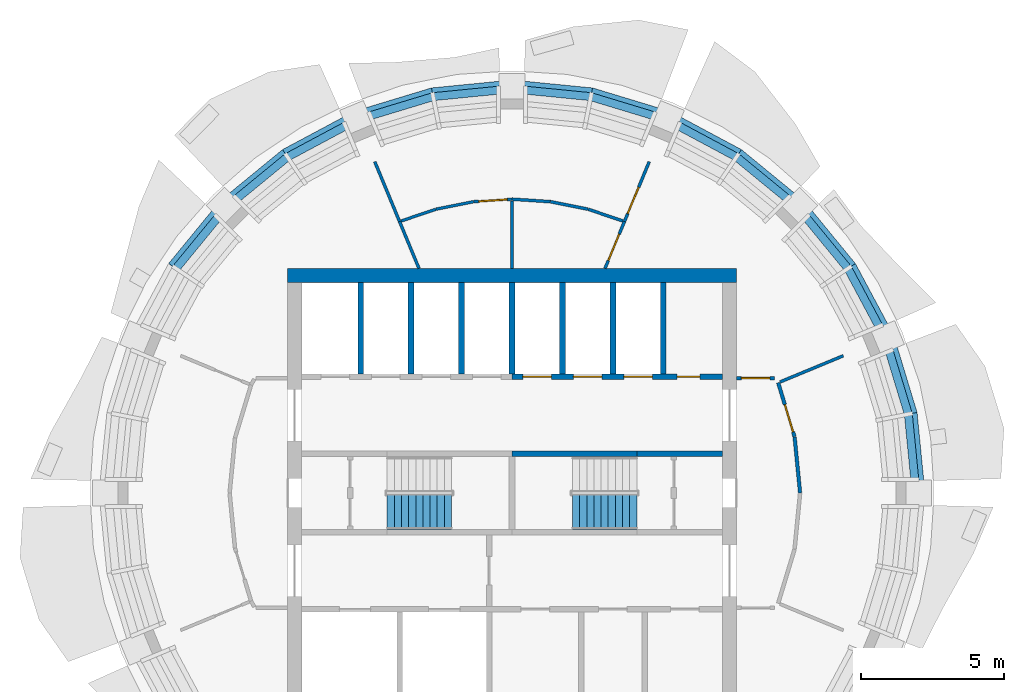
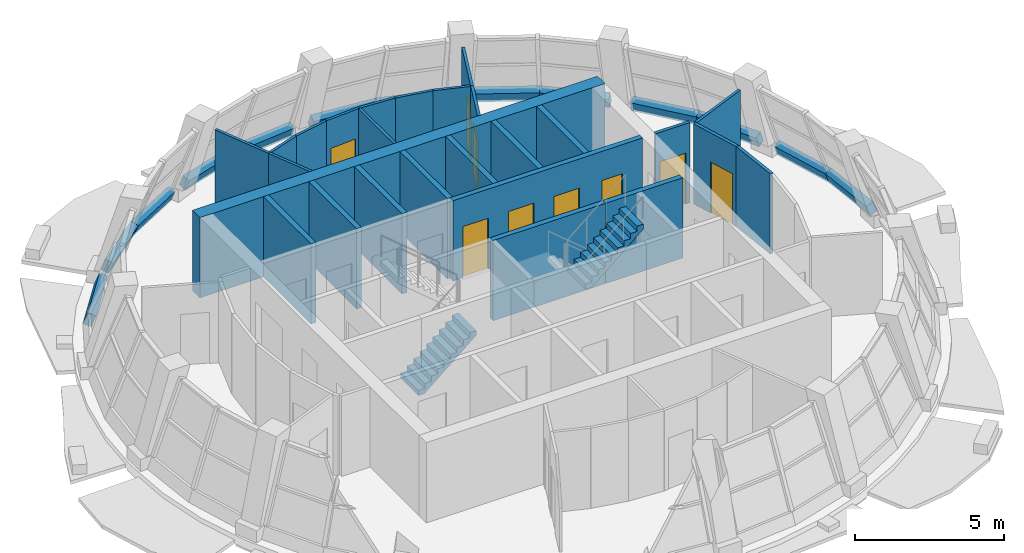
# One storey, part 7 of 12: 39 walls, 9 doors, 2 stair flights, 9 openings, 2 elements without a shape of their own.
"""IFC4 building model written with IfcOpenShell, lengths in metres."""

from ifc_helpers import new_model, si_unit, direction, frame, frame_2d, origin, place, context, subcontext, project, spatial, polyline, rectangle, outline, extrude, material, layer, layer_set, type_object, element, fill, aggregate, save


model = new_model("IFC4")

# Units and contexts
model_context = context("Model", 3, precision=1e-05, world=origin(), true_north=direction((0.0, 1.0)))
body_context = subcontext(model_context, "Body", "Model", "MODEL_VIEW")
ifc_project = project(units=[si_unit("LENGTHUNIT", "METRE"), si_unit("AREAUNIT", "SQUARE_METRE"), si_unit("VOLUMEUNIT", "CUBIC_METRE"), si_unit("PLANEANGLEUNIT", "RADIAN"), si_unit("MASSUNIT", "GRAM", prefix="KILO")], contexts=[model_context])

# Site, building, storey
site_placement = place(None, origin())
site = spatial("IfcSite", under=ifc_project, at=site_placement, CompositionType="ELEMENT")
building_placement = place(site_placement, origin())
building = spatial("IfcBuilding", under=site, at=building_placement, Name="Polderwave Tower", CompositionType="ELEMENT")
storey_placement = place(building_placement, frame((0.0, 0.0, 231.199951171875)))
storey = spatial("IfcBuildingStorey", under=building, at=storey_placement, Name="L63", CompositionType="ELEMENT", Elevation=231.199951171875)

# Walls
ifc_material_1 = material(Name="Concrete C60/75", Category="concrete")
ifc_layer_1 = layer(ifc_material_1, 0.5)
ifc_layer_set_1 = layer_set([ifc_layer_1], Name="CORE WALL 500 C60/75")
wall_type_1 = type_object("IfcWallType", Name="CORE WALL 500 C60/75", PredefinedType="SHEAR", material=ifc_layer_set_1)
wall_1_placement = place(storey_placement, frame((-7.8740234375, 7.6240234375, 0.0), z_axis=(0.0, 0.0, 1.0), x_axis=(1.0, 0.0, 0.0)))
element("IfcWall", 1, at=wall_1_placement, inside=storey, type_object=wall_type_1, Name="ST-CORE-L63-N", PredefinedType="SHEAR", context=body_context, shape_type="SweptSolid", body=[
    extrude(rectangle(XDim=15.748046875, YDim=0.5, at=frame_2d((7.8740234375, 0.0))), origin(), (0.0, 0.0, 1.0), 3.300048828125),
])
ifc_material_2 = material(Name="Concrete C50/60 (board-marked)", Category="concrete")
ifc_layer_2 = layer(ifc_material_2, 0.300048828125)
ifc_layer_set_2 = layer_set([ifc_layer_2], Name="Concrete spandrel upstand C50/60")
wall_type_2 = type_object("IfcWallType", Name="Concrete spandrel upstand C50/60", PredefinedType="SOLIDWALL", material=ifc_layer_set_2)
wall_2_placement = place(storey_placement, frame((14.43896484375, 0.40283203125, 0.0), z_axis=(0.93035064291, 0.091755306795, 0.355005133642), x_axis=(-0.098145054237, 0.995172119915, -8.475565e-06)))
element("IfcWall", 2, at=wall_2_placement, inside=storey, type_object=wall_type_2, Name="Spandrel L63 1a", PredefinedType="SOLIDWALL", context=body_context, shape_type="SweptSolid", body=[
    extrude(outline(polyline([(0.0, 0.0), (2.4333735645715304, -1.3877787807814457e-17), (2.416617189212463, 0.4813229358100159), (0.016840906411805846, 0.4812791180361181), (0.0, 0.0)])), origin(), (0.0, 0.0, -1.0), 0.300048828125),
])
wall_3_placement = place(storey_placement, frame((14.2001953125, 2.824462890625, 0.0), z_axis=(0.894721380135, 0.271074750296, 0.354953703573), x_axis=(-0.289959608839, 0.957038883806, 1.1226683e-05)))
element("IfcWall", 3, at=wall_3_placement, inside=storey, type_object=wall_type_2, Name="Spandrel L63 1b", PredefinedType="SOLIDWALL", context=body_context, shape_type="SweptSolid", body=[
    extrude(outline(polyline([(0.0, 0.0), (2.433930961802469, -5.551115123125783e-17), (2.416793261188387, 0.4812619504503942), (0.01684045258624646, 0.4813199988131944), (0.0, 0.0)])), origin(), (0.0, 0.0, -1.0), 0.300048828125),
])
wall_4_placement = place(storey_placement, frame((13.186279296875, 5.897705078125, 0.0), z_axis=(0.824332600798, 0.441016524886, 0.35493687895), x_axis=(-0.471734377661, 0.881740708382, 1.0715603e-05)))
element("IfcWall", 4, at=wall_4_placement, inside=storey, type_object=wall_type_2, Name="Spandrel L63 2a", PredefinedType="SOLIDWALL", context=body_context, shape_type="SweptSolid", body=[
    extrude(outline(polyline([(0.0, 0.0), (2.433854395707357, 0.0), (2.4169481477664605, 0.4812599815895599), (0.01695772553279257, 0.48131538655599776), (0.0, 0.0)])), origin(), (0.0, 0.0, -1.0), 0.300048828125),
])
wall_5_placement = place(storey_placement, frame((12.0380859375, 8.043701171875, 0.0), z_axis=(0.722862546463, 0.59284076781, 0.354978257002), x_axis=(-0.634136527431, 0.773221096766, -9.701072e-06)))
element("IfcWall", 5, at=wall_5_placement, inside=storey, type_object=wall_type_2, Name="Spandrel L63 2b", PredefinedType="SOLIDWALL", context=body_context, shape_type="SweptSolid", body=[
    extrude(outline(polyline([(0.0, 0.0), (2.434026504244632, 5.551115123125783e-17), (2.4169571362923046, 0.48132085280908643), (0.01659873147160668, 0.4812706870222966), (0.0, 0.0)])), origin(), (0.0, 0.0, -1.0), 0.300048828125),
])
wall_6_placement = place(storey_placement, frame((9.92578125, 10.49462890625, 0.0), z_axis=(0.59284076781, 0.722862546463, 0.354978257002), x_axis=(-0.773221096766, 0.634136527431, 9.701072e-06)))
element("IfcWall", 6, at=wall_6_placement, inside=storey, type_object=wall_type_2, Name="Spandrel L63 3a", PredefinedType="SOLIDWALL", context=body_context, shape_type="SweptSolid", body=[
    extrude(outline(polyline([(0.0, 0.0), (2.434026504244632, -5.551115123125783e-17), (2.417427772773025, 0.48127068702229653), (0.017069367952327243, 0.48132085280908643), (0.0, 0.0)])), origin(), (0.0, 0.0, -1.0), 0.300048828125),
])
wall_7_placement = place(storey_placement, frame((8.043701171875, 12.0380859375, 0.0), z_axis=(0.441126603603, 0.824402860411, 0.354636776631), x_axis=(-0.881712517728, 0.471787066311, 1.195964e-05)))
element("IfcWall", 7, at=wall_7_placement, inside=storey, type_object=wall_type_2, Name="Spandrel L63 3b", PredefinedType="SOLIDWALL", context=body_context, shape_type="SweptSolid", body=[
    extrude(outline(polyline([(0.0, 0.0), (2.433854395432529, 5.551115123125783e-17), (2.4167965805720697, 0.48119815178094155), (0.0169062473931503, 0.4812599802189296), (0.0, 0.0)])), origin(), (0.0, 0.0, -1.0), 0.300048828125),
])
wall_8_placement = place(storey_placement, frame((5.15380859375, 13.494384765625, 0.0), z_axis=(0.271094631402, 0.894631168658, 0.355165838574), x_axis=(-0.957026634075, 0.290000037325, 4.815507e-06)))
element("IfcWall", 8, at=wall_8_placement, inside=storey, type_object=wall_type_2, Name="Spandrel L63 4a", PredefinedType="SOLIDWALL", context=body_context, shape_type="SweptSolid", body=[
    extrude(outline(polyline([(0.0, 0.0), (2.433930962796164, 0.0), (2.417090508229403, 0.4813200037687998), (0.017066904765498103, 0.48134490520427625), (0.0, 0.0)])), origin(), (0.0, 0.0, -1.0), 0.300048828125),
])
wall_9_placement = place(storey_placement, frame((2.824462890625, 14.2001953125, 0.0), z_axis=(0.091755306795, 0.93035064291, 0.355005133642), x_axis=(-0.995172119915, 0.098145054237, 8.475565e-06)))
element("IfcWall", 9, at=wall_9_placement, inside=storey, type_object=wall_type_2, Name="Spandrel L63 4b", PredefinedType="SOLIDWALL", context=body_context, shape_type="SweptSolid", body=[
    extrude(outline(polyline([(0.0, 0.0), (2.4333735645715304, 1.3877787807814457e-17), (2.4165326581597246, 0.4812791180361181), (0.016756375359067092, 0.4813229358100159), (0.0, 0.0)])), origin(), (0.0, 0.0, -1.0), 0.300048828125),
])
wall_10_placement = place(storey_placement, frame((-0.40283203125, 14.43896484375, 0.0), z_axis=(-0.091755306795, 0.93035064291, 0.355005133642), x_axis=(-0.995172119915, -0.098145054237, -8.475565e-06)))
element("IfcWall", 10, at=wall_10_placement, inside=storey, type_object=wall_type_2, Name="Spandrel L63 5a", PredefinedType="SOLIDWALL", context=body_context, shape_type="SweptSolid", body=[
    extrude(outline(polyline([(0.0, 0.0), (2.4333735645715304, -1.3877787807814457e-17), (2.416617189212463, 0.4813229358100159), (0.016840906411805846, 0.4812791180361181), (0.0, 0.0)])), origin(), (0.0, 0.0, -1.0), 0.300048828125),
])
wall_11_placement = place(storey_placement, frame((-2.824462890625, 14.2001953125, 0.0), z_axis=(-0.271074750296, 0.894721380135, 0.354953703573), x_axis=(-0.957038883806, -0.289959608839, 1.1226683e-05)))
element("IfcWall", 11, at=wall_11_placement, inside=storey, type_object=wall_type_2, Name="Spandrel L63 5b", PredefinedType="SOLIDWALL", context=body_context, shape_type="SweptSolid", body=[
    extrude(outline(polyline([(0.0, 0.0), (2.433930961802469, -5.551115123125783e-17), (2.416793261188387, 0.4812619504503942), (0.01684045258624646, 0.4813199988131944), (0.0, 0.0)])), origin(), (0.0, 0.0, -1.0), 0.300048828125),
])
wall_12_placement = place(storey_placement, frame((-5.897705078125, 13.186279296875, 0.0), z_axis=(-0.441016524886, 0.824332600798, 0.35493687895), x_axis=(-0.881740708382, -0.471734377661, 1.0715603e-05)))
element("IfcWall", 12, at=wall_12_placement, inside=storey, type_object=wall_type_2, Name="Spandrel L63 6a", PredefinedType="SOLIDWALL", context=body_context, shape_type="SweptSolid", body=[
    extrude(outline(polyline([(0.0, 0.0), (2.433854395707357, 0.0), (2.4169481477664605, 0.4812599815895599), (0.01695772553279257, 0.48131538655599776), (0.0, 0.0)])), origin(), (0.0, 0.0, -1.0), 0.300048828125),
])
wall_13_placement = place(storey_placement, frame((-8.043701171875, 12.0380859375, 0.0), z_axis=(-0.59284076781, 0.722862546463, 0.354978257002), x_axis=(-0.773221096766, -0.634136527431, -9.701072e-06)))
element("IfcWall", 13, at=wall_13_placement, inside=storey, type_object=wall_type_2, Name="Spandrel L63 6b", PredefinedType="SOLIDWALL", context=body_context, shape_type="SweptSolid", body=[
    extrude(outline(polyline([(0.0, 0.0), (2.434026504244632, 5.551115123125783e-17), (2.4169571362923046, 0.48132085280908643), (0.01659873147160668, 0.4812706870222966), (0.0, 0.0)])), origin(), (0.0, 0.0, -1.0), 0.300048828125),
])
wall_14_placement = place(storey_placement, frame((-10.49462890625, 9.92578125, 0.0), z_axis=(-0.722862546463, 0.59284076781, 0.354978257002), x_axis=(-0.634136527431, -0.773221096766, 9.701072e-06)))
element("IfcWall", 14, at=wall_14_placement, inside=storey, type_object=wall_type_2, Name="Spandrel L63 7a", PredefinedType="SOLIDWALL", context=body_context, shape_type="SweptSolid", body=[
    extrude(outline(polyline([(0.0, 0.0), (2.434026504244632, -5.551115123125783e-17), (2.417427772773025, 0.48127068702229653), (0.017069367952327243, 0.48132085280908643), (0.0, 0.0)])), origin(), (0.0, 0.0, -1.0), 0.300048828125),
])

# Wall, openings, doors
ifc_material_3 = material(Name="Concrete C50/60", Category="concrete")
ifc_layer_3 = layer(ifc_material_3, 0.199951171875)
ifc_layer_set_3 = layer_set([ifc_layer_3], Name="Core web wall 200")
wall_type_3 = type_object("IfcWallType", Name="Core web wall 200", PredefinedType="SHEAR", material=ifc_layer_set_3)
wall_15_placement = place(storey_placement, frame((0.0, 4.073974609375, 0.0), z_axis=(0.0, 0.0, 1.0), x_axis=(1.0, 0.0, 0.0)))
wall_15 = element("IfcWall", 15, at=wall_15_placement, inside=storey, type_object=wall_type_3, Name="L63 north front wall 2", PredefinedType="SHEAR", context=body_context, shape_type="SweptSolid", body=[
    extrude(rectangle(XDim=7.3740234375, YDim=0.199951171875, at=frame_2d((3.68701171875, 0.0))), origin(), (0.0, 0.0, 1.0), 3.300048828125),
])
opening_1_placement = place(wall_15_placement, frame((0.38427734375, 0.0, 0.0)))
opening_1 = element("IfcOpeningElement", 16, at=opening_1_placement, cuts=wall_15, Name="Opening L63-D07", PredefinedType="OPENING", context=body_context, shape_type="SweptSolid", body=[
    extrude(rectangle(XDim=1.0, YDim=2.10009765625, at=frame_2d((0.5, 1.050048828125))), frame((0.0, 0.10986328125, 0.0), z_axis=(0.0, -1.0, 0.0), x_axis=(1.0, 0.0, 0.0)), (0.0, 0.0, 1.0), 0.219970703125),
])
opening_2_placement = place(wall_15_placement, frame((2.15283203125, 0.0, 0.0)))
opening_2 = element("IfcOpeningElement", 17, at=opening_2_placement, cuts=wall_15, Name="Opening L63-D08", PredefinedType="OPENING", context=body_context, shape_type="SweptSolid", body=[
    extrude(rectangle(XDim=1.0, YDim=2.10009765625, at=frame_2d((0.5, 1.050048828125))), frame((0.0, 0.10986328125, 0.0), z_axis=(0.0, -1.0, 0.0), x_axis=(1.0, 0.0, 0.0)), (0.0, 0.0, 1.0), 0.219970703125),
])
opening_3_placement = place(wall_15_placement, frame((3.921142578125, 0.0, 0.0)))
opening_3 = element("IfcOpeningElement", 18, at=opening_3_placement, cuts=wall_15, Name="Opening L63-D09", PredefinedType="OPENING", context=body_context, shape_type="SweptSolid", body=[
    extrude(rectangle(XDim=1.0, YDim=2.10009765625, at=frame_2d((0.5, 1.050048828125))), frame((0.0, 0.10986328125, 0.0), z_axis=(0.0, -1.0, 0.0), x_axis=(1.0, 0.0, 0.0)), (0.0, 0.0, 1.0), 0.219970703125),
])
opening_4_placement = place(wall_15_placement, frame((5.789794921875, 0.0, 0.0)))
opening_4 = element("IfcOpeningElement", 19, at=opening_4_placement, cuts=wall_15, Name="Opening L63-D18", PredefinedType="OPENING", context=body_context, shape_type="SweptSolid", body=[
    extrude(rectangle(XDim=0.800048828125, YDim=2.10009765625, at=frame_2d((0.39990234375, 1.050048828125))), frame((0.0, 0.10986328125, 0.0), z_axis=(0.0, -1.0, 0.0), x_axis=(1.0, 0.0, 0.0)), (0.0, 0.0, 1.0), 0.219970703125),
])
ifc_material_4 = material(Name="Stainless steel", Category="steel")
door_type_1 = type_object("IfcDoorType", Name="Lift landing door 1000", OperationType="DOUBLE_DOOR_SLIDING", PredefinedType="DOOR", material=ifc_material_4)
door_1_placement = place(opening_1_placement, frame((1.0, 0.0, 0.0), z_axis=(0.0, 0.0, 1.0), x_axis=(-1.0, 0.0, 0.0)))
door_1 = element("IfcDoor", 20, at=door_1_placement, inside=storey, type_object=door_type_1, Name="Lift HL5 landing door", OperationType="DOUBLE_DOOR_SLIDING", OverallHeight=2.10009765625, OverallWidth=1.0, PredefinedType="DOOR", context=body_context, shape_type="SweptSolid", body=[
    extrude(rectangle(XDim=1.0, YDim=2.10009765625, at=frame_2d((0.5, 1.050048828125))), frame((0.0, 0.02490234375, 0.0), z_axis=(0.0, -1.0, 0.0), x_axis=(1.0, 0.0, 0.0)), (0.0, 0.0, 1.0), 0.050048828125),
])
fill(opening_1, door_1)
door_2_placement = place(opening_2_placement, frame((1.0, 0.0, 0.0), z_axis=(0.0, 0.0, 1.0), x_axis=(-1.0, 0.0, 0.0)))
door_2 = element("IfcDoor", 21, at=door_2_placement, inside=storey, type_object=door_type_1, Name="Lift HL6 landing door", OperationType="DOUBLE_DOOR_SLIDING", OverallHeight=2.10009765625, OverallWidth=1.0, PredefinedType="DOOR", context=body_context, shape_type="SweptSolid", body=[
    extrude(rectangle(XDim=1.0, YDim=2.10009765625, at=frame_2d((0.5, 1.050048828125))), frame((0.0, 0.02490234375, 0.0), z_axis=(0.0, -1.0, 0.0), x_axis=(1.0, 0.0, 0.0)), (0.0, 0.0, 1.0), 0.050048828125),
])
fill(opening_2, door_2)
door_3_placement = place(opening_3_placement, frame((1.0, 0.0, 0.0), z_axis=(0.0, 0.0, 1.0), x_axis=(-1.0, 0.0, 0.0)))
door_3 = element("IfcDoor", 22, at=door_3_placement, inside=storey, type_object=door_type_1, Name="Lift HL7 landing door", OperationType="DOUBLE_DOOR_SLIDING", OverallHeight=2.10009765625, OverallWidth=1.0, PredefinedType="DOOR", context=body_context, shape_type="SweptSolid", body=[
    extrude(rectangle(XDim=1.0, YDim=2.10009765625, at=frame_2d((0.5, 1.050048828125))), frame((0.0, 0.02490234375, 0.0), z_axis=(0.0, -1.0, 0.0), x_axis=(1.0, 0.0, 0.0)), (0.0, 0.0, 1.0), 0.050048828125),
])
fill(opening_3, door_3)
ifc_material_5 = material(Name="Steel fire door", Category="steel")
door_type_2 = type_object("IfcDoorType", Name="Riser door 800", OperationType="NOTDEFINED", PredefinedType="DOOR", material=ifc_material_5)
door_4_placement = place(opening_4_placement, frame((0.800048828125, 0.0, 0.0), z_axis=(0.0, 0.0, 1.0), x_axis=(-1.0, 0.0, 0.0)))
door_4 = element("IfcDoor", 23, at=door_4_placement, inside=storey, type_object=door_type_2, Name="Riser door", OperationType="SINGLE_SWING_LEFT", OverallHeight=2.10009765625, OverallWidth=0.800048828125, PredefinedType="DOOR", context=body_context, shape_type="SweptSolid", body=[
    extrude(rectangle(XDim=0.800048828125, YDim=2.10009765625, at=frame_2d((0.39990234375, 1.050048828125))), frame((0.0, 0.02490234375, 0.0), z_axis=(0.0, -1.0, 0.0), x_axis=(1.0, 0.0, 0.0)), (0.0, 0.0, 1.0), 0.050048828125),
])
fill(opening_4, door_4)

# Walls
wall_16_placement = place(storey_placement, frame((0.0, 1.375, 0.0), z_axis=(0.0, 0.0, 1.0), x_axis=(1.0, 0.0, 0.0)))
element("IfcWall", 24, at=wall_16_placement, inside=storey, type_object=wall_type_3, Name="L63 north stair wall 3", PredefinedType="SHEAR", context=body_context, shape_type="SweptSolid", body=[
    extrude(rectangle(XDim=4.3740234375, YDim=0.199951171875, at=frame_2d((2.18701171875, 0.0))), origin(), (0.0, 0.0, 1.0), 3.300048828125),
])
wall_17_placement = place(storey_placement, frame((4.3740234375, 1.375, 0.0), z_axis=(0.0, 0.0, 1.0), x_axis=(1.0, 0.0, 0.0)))
element("IfcWall", 25, at=wall_17_placement, inside=storey, type_object=wall_type_3, Name="L63 north stair wall 4", PredefinedType="SHEAR", context=body_context, shape_type="SweptSolid", body=[
    extrude(rectangle(XDim=3.0, YDim=0.199951171875, at=frame_2d((1.5, 0.0))), origin(), (0.0, 0.0, 1.0), 3.300048828125),
])

# Wall, opening, door
ifc_material_6 = material(Name="Fire-resisting board on steel studs", Category="steel")
ifc_layer_4 = layer(ifc_material_6, 0.125)
ifc_layer_set_4 = layer_set([ifc_layer_4], Name="Corridor wall 125 mm EI 60")
wall_type_4 = type_object("IfcWallType", Name="Corridor wall 125 mm EI 60", PredefinedType="PARTITIONING", material=ifc_layer_set_4)
wall_18_placement = place(storey_placement, frame((9.331298828125, 3.864990234375, 0.0), z_axis=(0.0, 0.0, 1.0), x_axis=(0.290206520171, -0.956964040939, 0.0)))
wall_18 = element("IfcWall", 26, at=wall_18_placement, inside=storey, type_object=wall_type_4, Name="IN-L63-W001", PredefinedType="PARTITIONING", context=body_context, shape_type="SweptSolid", body=[
    extrude(rectangle(XDim=1.9736328125, YDim=0.125, at=frame_2d((0.98681640625, 0.0))), origin(), (0.0, 0.0, 1.0), 3.300048828125),
])
opening_5_placement = place(wall_18_placement, frame((0.800048828125, 0.0, 0.0)))
opening_5 = element("IfcOpeningElement", 27, at=opening_5_placement, cuts=wall_18, Name="Opening L63-D50", PredefinedType="OPENING", context=body_context, shape_type="SweptSolid", body=[
    extrude(rectangle(XDim=1.0, YDim=2.10009765625, at=frame_2d((0.5, 1.050048828125))), frame((0.0, 0.072509765625, 0.0), z_axis=(0.0, -1.0, 0.0), x_axis=(1.0, 0.0, 0.0)), (0.0, 0.0, 1.0), 0.14501953125),
])
ifc_material_7 = material(Name="Timber fire door leaf", Category="wood")
door_type_3 = type_object("IfcDoorType", Name="Fire door FD30S 1000 x 2100", OperationType="NOTDEFINED", PredefinedType="DOOR", material=ifc_material_7)
door_5_placement = place(opening_5_placement, origin())
door_5 = element("IfcDoor", 28, at=door_5_placement, inside=storey, type_object=door_type_3, Name="Door L63-D50", OperationType="SINGLE_SWING_RIGHT", OverallHeight=2.10009765625, OverallWidth=1.0, PredefinedType="DOOR", context=body_context, shape_type="SweptSolid", body=[
    extrude(rectangle(XDim=1.0, YDim=2.10009765625, at=frame_2d((0.5, 1.050048828125))), frame((0.0, 0.02490234375, 0.0), z_axis=(0.0, -1.0, 0.0), x_axis=(1.0, 0.0, 0.0)), (0.0, 0.0, 1.0), 0.050048828125),
])
fill(opening_5, door_5)

# Wall
wall_19_placement = place(storey_placement, frame((9.906494140625, 1.96435546875, 0.0), z_axis=(0.0, 0.0, 1.0), x_axis=(0.098017196077, -0.995184721182, 0.0)))
element("IfcWall", 29, at=wall_19_placement, inside=storey, type_object=wall_type_4, Name="IN-L63-W003", PredefinedType="PARTITIONING", context=body_context, shape_type="SweptSolid", body=[
    extrude(rectangle(XDim=1.9677734375, YDim=0.125, at=frame_2d((0.98388671875, 0.0))), origin(), (0.0, 0.0, 1.0), 3.300048828125),
])

# Wall, opening, door
wall_20_placement = place(storey_placement, frame((7.8740234375, 4.0244140625, 0.0), z_axis=(0.0, 0.0, 1.0), x_axis=(1.0, 0.0, 0.0)))
wall_20 = element("IfcWall", 30, at=wall_20_placement, inside=storey, type_object=wall_type_4, Name="IN-L63-W005", PredefinedType="PARTITIONING", context=body_context, shape_type="SweptSolid", body=[
    extrude(rectangle(XDim=1.33447265625, YDim=0.125, at=frame_2d((0.667236328125, 0.0))), origin(), (0.0, 0.0, 1.0), 3.300048828125),
])
opening_6_placement = place(wall_20_placement, frame((0.167236328125, 0.0, 0.0)))
opening_6 = element("IfcOpeningElement", 31, at=opening_6_placement, cuts=wall_20, Name="Opening L63-D51", PredefinedType="OPENING", context=body_context, shape_type="SweptSolid", body=[
    extrude(rectangle(XDim=1.0, YDim=2.10009765625, at=frame_2d((0.5, 1.050048828125))), frame((0.0, 0.072509765625, 0.0), z_axis=(0.0, -1.0, 0.0), x_axis=(1.0, 0.0, 0.0)), (0.0, 0.0, 1.0), 0.14501953125),
])
door_6_placement = place(opening_6_placement, origin())
door_6 = element("IfcDoor", 32, at=door_6_placement, inside=storey, type_object=door_type_3, Name="Door L63-D51", OperationType="SINGLE_SWING_LEFT", OverallHeight=2.10009765625, OverallWidth=1.0, PredefinedType="DOOR", context=body_context, shape_type="SweptSolid", body=[
    extrude(rectangle(XDim=1.0, YDim=2.10009765625, at=frame_2d((0.5, 1.050048828125))), frame((0.0, 0.02490234375, 0.0), z_axis=(0.0, -1.0, 0.0), x_axis=(1.0, 0.0, 0.0)), (0.0, 0.0, 1.0), 0.050048828125),
])
fill(opening_6, door_6)

# Walls
ifc_material_8 = material(Name="Plasterboard on steel studs", Category="steel")
ifc_layer_5 = layer(ifc_material_8, 0.10009765625)
ifc_layer_set_5 = layer_set([ifc_layer_5], Name="Partition 100 mm plasterboard on steel studs")
wall_type_5 = type_object("IfcWallType", Name="Partition 100 mm plasterboard on steel studs", PredefinedType="PARTITIONING", material=ifc_layer_set_5)
wall_21_placement = place(storey_placement, frame((-2.6689453125, 9.947998046875, 0.0), z_axis=(0.0, 0.0, 1.0), x_axis=(-0.946925137773, -0.321454170069, 0.0)))
element("IfcWall", 33, at=wall_21_placement, inside=storey, type_object=wall_type_5, Name="IN-L63-W023", PredefinedType="PARTITIONING", context=body_context, shape_type="SweptSolid", body=[
    extrude(rectangle(XDim=1.2880859375, YDim=0.10009765625, at=frame_2d((0.64404296875, 0.0))), origin(), (0.0, 0.0, 1.0), 3.300048828125),
])
wall_22_placement = place(storey_placement, frame((-1.34765625, 10.211181640625, 0.0), z_axis=(0.0, 0.0, 1.0), x_axis=(-0.980797195444, -0.195030411497, 0.0)))
element("IfcWall", 34, at=wall_22_placement, inside=storey, type_object=wall_type_5, Name="IN-L63-W024", PredefinedType="PARTITIONING", context=body_context, shape_type="SweptSolid", body=[
    extrude(rectangle(XDim=1.340576171875, YDim=0.10009765625, at=frame_2d((0.67041015625, 0.0))), origin(), (0.0, 0.0, 1.0), 3.300048828125),
])

# Wall, opening, door
wall_23_placement = place(storey_placement, frame((0.0, 10.300048828125, 0.0), z_axis=(0.0, 0.0, 1.0), x_axis=(-0.997859281755, -0.065397659099, 0.0)))
wall_23 = element("IfcWall", 35, at=wall_23_placement, inside=storey, type_object=wall_type_5, Name="IN-L63-W025", PredefinedType="PARTITIONING", context=body_context, shape_type="SweptSolid", body=[
    extrude(rectangle(XDim=1.343994140625, YDim=0.10009765625, at=frame_2d((0.671875, 0.0))), origin(), (0.0, 0.0, 1.0), 3.300048828125),
])
opening_7_placement = place(wall_23_placement, frame((0.172119140625, 0.0, 0.0)))
opening_7 = element("IfcOpeningElement", 36, at=opening_7_placement, cuts=wall_23, Name="Opening L63-D56", PredefinedType="OPENING", context=body_context, shape_type="SweptSolid", body=[
    extrude(rectangle(XDim=1.0, YDim=2.10009765625, at=frame_2d((0.5, 1.050048828125))), frame((0.0, 0.06005859375, 0.0), z_axis=(0.0, -1.0, 0.0), x_axis=(1.0, 0.0, 0.0)), (0.0, 0.0, 1.0), 0.1201171875),
])
ifc_material_9 = material(Name="Timber veneer door leaf", Category="wood")
door_type_4 = type_object("IfcDoorType", Name="Single door 1000 x 2100", OperationType="NOTDEFINED", PredefinedType="DOOR", material=ifc_material_9)
door_7_placement = place(opening_7_placement, origin())
door_7 = element("IfcDoor", 37, at=door_7_placement, inside=storey, type_object=door_type_4, Name="Door L63-D56", OperationType="SINGLE_SWING_LEFT", OverallHeight=2.10009765625, OverallWidth=1.0, PredefinedType="DOOR", context=body_context, shape_type="SweptSolid", body=[
    extrude(rectangle(XDim=1.0, YDim=2.10009765625, at=frame_2d((0.5, 1.050048828125))), frame((0.0, 0.02490234375, 0.0), z_axis=(0.0, -1.0, 0.0), x_axis=(1.0, 0.0, 0.0)), (0.0, 0.0, 1.0), 0.050048828125),
])
fill(opening_7, door_7)

# Wall
ifc_material_10 = material(Name="Moisture-resistant board on steel studs, tiled", Category="steel")
ifc_layer_6 = layer(ifc_material_10, 0.10498046875)
ifc_layer_set_6 = layer_set([ifc_layer_6], Name="Partition 105 mm wet room board and tile")
wall_type_6 = type_object("IfcWallType", Name="Partition 105 mm wet room board and tile", PredefinedType="PARTITIONING", material=ifc_layer_set_6)
wall_24_placement = place(storey_placement, frame((9.39404296875, 3.89111328125, 0.0), z_axis=(0.0, 0.0, 1.0), x_axis=(0.923886765284, 0.38266597044, 0.0)))
element("IfcWall", 38, at=wall_24_placement, inside=storey, type_object=wall_type_6, Name="IN-L63-W015", PredefinedType="PARTITIONING", context=body_context, shape_type="SweptSolid", body=[
    extrude(rectangle(XDim=2.402099609375, YDim=0.10498046875, at=frame_2d((1.201171875, 0.0))), origin(), (0.0, 0.0, 1.0), 3.300048828125),
])

# Wall, opening, door
wall_25_placement = place(storey_placement, frame((3.261474609375, 7.8740234375, 0.0), z_axis=(0.0, 0.0, 1.0), x_axis=(0.382683383062, 0.923879552933, 0.0)))
wall_25 = element("IfcWall", 39, at=wall_25_placement, inside=storey, type_object=wall_type_6, Name="IN-L63-W017", PredefinedType="PARTITIONING", context=body_context, shape_type="SweptSolid", body=[
    extrude(rectangle(XDim=1.77734375, YDim=0.10498046875, at=frame_2d((0.888671875, 0.0))), origin(), (0.0, 0.0, 1.0), 3.300048828125),
])
opening_8_placement = place(wall_25_placement, frame((0.300048828125, 0.0, 0.0)))
opening_8 = element("IfcOpeningElement", 40, at=opening_8_placement, cuts=wall_25, Name="Opening L63-D54", PredefinedType="OPENING", context=body_context, shape_type="SweptSolid", body=[
    extrude(rectangle(XDim=1.0, YDim=2.10009765625, at=frame_2d((0.5, 1.050048828125))), frame((0.0, 0.0625, 0.0), z_axis=(0.0, -1.0, 0.0), x_axis=(1.0, 0.0, 0.0)), (0.0, 0.0, 1.0), 0.125),
])
door_8_placement = place(opening_8_placement, origin())
door_8 = element("IfcDoor", 41, at=door_8_placement, inside=storey, type_object=door_type_4, Name="Door L63-D54", OperationType="SINGLE_SWING_LEFT", OverallHeight=2.10009765625, OverallWidth=1.0, PredefinedType="DOOR", context=body_context, shape_type="SweptSolid", body=[
    extrude(rectangle(XDim=1.0, YDim=2.10009765625, at=frame_2d((0.5, 1.050048828125))), frame((0.0, 0.02490234375, 0.0), z_axis=(0.0, -1.0, 0.0), x_axis=(1.0, 0.0, 0.0)), (0.0, 0.0, 1.0), 0.050048828125),
])
fill(opening_8, door_8)

wall_26_placement = place(storey_placement, frame((3.941650390625, 9.51611328125, 0.0), z_axis=(0.0, 0.0, 1.0), x_axis=(0.382674756939, 0.923883125943, 0.0)))
wall_26 = element("IfcWall", 42, at=wall_26_placement, inside=storey, type_object=wall_type_6, Name="IN-L63-W018", PredefinedType="PARTITIONING", context=body_context, shape_type="SweptSolid", body=[
    extrude(rectangle(XDim=2.27001953125, YDim=0.10498046875, at=frame_2d((1.135009765625, 0.0))), origin(), (0.0, 0.0, 1.0), 3.300048828125),
])
opening_9_placement = place(wall_26_placement, frame((0.300048828125, 0.0, 0.0)))
opening_9 = element("IfcOpeningElement", 43, at=opening_9_placement, cuts=wall_26, Name="Opening L63-D55", PredefinedType="OPENING", context=body_context, shape_type="SweptSolid", body=[
    extrude(rectangle(XDim=1.0, YDim=2.10009765625, at=frame_2d((0.5, 1.050048828125))), frame((0.0, 0.0625, 0.0), z_axis=(0.0, -1.0, 0.0), x_axis=(1.0, 0.0, 0.0)), (0.0, 0.0, 1.0), 0.125),
])
door_9_placement = place(opening_9_placement, origin())
door_9 = element("IfcDoor", 44, at=door_9_placement, inside=storey, type_object=door_type_4, Name="Door L63-D55", OperationType="SINGLE_SWING_LEFT", OverallHeight=2.10009765625, OverallWidth=1.0, PredefinedType="DOOR", context=body_context, shape_type="SweptSolid", body=[
    extrude(rectangle(XDim=1.0, YDim=2.10009765625, at=frame_2d((0.5, 1.050048828125))), frame((0.0, 0.02490234375, 0.0), z_axis=(0.0, -1.0, 0.0), x_axis=(1.0, 0.0, 0.0)), (0.0, 0.0, 1.0), 0.050048828125),
])
fill(opening_9, door_9)

# Walls
wall_27_placement = place(storey_placement, frame((0.0, 10.300048828125, 0.0), z_axis=(0.0, 0.0, 1.0), x_axis=(0.997859281755, -0.065397659099, 0.0)))
element("IfcWall", 45, at=wall_27_placement, inside=storey, type_object=wall_type_6, Name="IN-L63-W019", PredefinedType="PARTITIONING", context=body_context, shape_type="SweptSolid", body=[
    extrude(rectangle(XDim=1.343994140625, YDim=0.10498046875, at=frame_2d((0.671875, 0.0))), origin(), (0.0, 0.0, 1.0), 3.300048828125),
])
wall_28_placement = place(storey_placement, frame((1.347900390625, 10.211181640625, 0.0), z_axis=(0.0, 0.0, 1.0), x_axis=(0.9807833349, -0.195100102466, 0.0)))
element("IfcWall", 46, at=wall_28_placement, inside=storey, type_object=wall_type_6, Name="IN-L63-W020", PredefinedType="PARTITIONING", context=body_context, shape_type="SweptSolid", body=[
    extrude(rectangle(XDim=1.340087890625, YDim=0.10498046875, at=frame_2d((0.669921875, 0.0))), origin(), (0.0, 0.0, 1.0), 3.300048828125),
])
wall_29_placement = place(storey_placement, frame((2.669189453125, 9.947998046875, 0.0), z_axis=(0.0, 0.0, 1.0), x_axis=(0.946885945971, -0.321569596389, 0.0)))
element("IfcWall", 47, at=wall_29_placement, inside=storey, type_object=wall_type_6, Name="IN-L63-W021", PredefinedType="PARTITIONING", context=body_context, shape_type="SweptSolid", body=[
    extrude(rectangle(XDim=1.28759765625, YDim=0.10498046875, at=frame_2d((0.643798828125, 0.0))), origin(), (0.0, 0.0, 1.0), 3.300048828125),
])
wall_30_placement = place(storey_placement, frame((0.0, 7.8740234375, 0.0), z_axis=(0.0, 0.0, 1.0), x_axis=(0.0, 1.0, 0.0)))
element("IfcWall", 48, at=wall_30_placement, inside=storey, type_object=wall_type_6, Name="IN-L63-W022", PredefinedType="PARTITIONING", context=body_context, shape_type="SweptSolid", body=[
    extrude(rectangle(XDim=2.369873046875, YDim=0.10498046875, at=frame_2d((1.18505859375, 0.0))), origin(), (0.0, 0.0, 1.0), 3.300048828125),
])
wall_31_placement = place(storey_placement, frame((-3.941650390625, 9.51611328125, 0.0), z_axis=(0.0, 0.0, 1.0), x_axis=(-0.382674756939, 0.923883125943, 0.0)))
element("IfcWall", 49, at=wall_31_placement, inside=storey, type_object=wall_type_6, Name="IN-L63-W026", PredefinedType="PARTITIONING", context=body_context, shape_type="SweptSolid", body=[
    extrude(rectangle(XDim=2.27001953125, YDim=0.10498046875, at=frame_2d((1.135009765625, 0.0))), origin(), (0.0, 0.0, 1.0), 3.300048828125),
])
wall_32_placement = place(storey_placement, frame((-3.261474609375, 7.8740234375, 0.0), z_axis=(0.0, 0.0, 1.0), x_axis=(-0.382683383062, 0.923879552933, 0.0)))
element("IfcWall", 50, at=wall_32_placement, inside=storey, type_object=wall_type_6, Name="IN-L63-W027", PredefinedType="PARTITIONING", context=body_context, shape_type="SweptSolid", body=[
    extrude(rectangle(XDim=1.77734375, YDim=0.10498046875, at=frame_2d((0.888671875, 0.0))), origin(), (0.0, 0.0, 1.0), 3.300048828125),
])
ifc_material_11 = material(Name="Gypsum shaft wall system")
ifc_layer_7 = layer(ifc_material_11, 0.199951171875)
ifc_layer_set_7 = layer_set([ifc_layer_7], Name="Shaft wall 200")
wall_type_7 = type_object("IfcWallType", Name="Shaft wall 200", PredefinedType="PARTITIONING", material=ifc_layer_set_7)
for number, where, z_axis, x_axis, name in (
    (51, (-5.305419921875, 4.174072265625, 0.0), (0.0, 0.0, 1.0), (0.0, 1.0, 0.0), "L63 lift shaft wall N1"),
    (52, (-3.537109375, 4.174072265625, 0.0), (0.0, 0.0, 1.0), (0.0, 1.0, 0.0), "L63 lift shaft wall N2"),
    (53, (-1.7685546875, 4.174072265625, 0.0), (0.0, 0.0, 1.0), (0.0, 1.0, 0.0), "L63 lift shaft wall N3"),
    (54, (0.0, 4.174072265625, 0.0), (0.0, 0.0, 1.0), (0.0, 1.0, 0.0), "L63 lift shaft wall N4"),
    (55, (1.7685546875, 4.174072265625, 0.0), (0.0, 0.0, 1.0), (0.0, 1.0, 0.0), "L63 lift shaft wall N5"),
    (56, (3.537109375, 4.174072265625, 0.0), (0.0, 0.0, 1.0), (0.0, 1.0, 0.0), "L63 lift shaft wall N6"),
    (57, (5.305419921875, 4.174072265625, 0.0), (0.0, 0.0, 1.0), (0.0, 1.0, 0.0), "L63 lift shaft wall N7"),
):
    element("IfcWall", number, at=place(storey_placement, frame(where, z_axis=z_axis, x_axis=x_axis)), inside=storey, type_object=wall_type_7, Name=name, PredefinedType="PARTITIONING", context=body_context, shape_type="SweptSolid", body=[
        extrude(rectangle(XDim=3.199951171875, YDim=0.199951171875, at=frame_2d((1.60009765625, 0.0))), origin(), (0.0, 0.0, 1.0), 3.300048828125),
    ])

# Stair, stair flight
ifc_material_12 = material(Name="Concrete C40/50", Category="concrete")
stair_type = type_object("IfcStairType", Name="Exit stair 1200 x 20 risers", PredefinedType="HALF_TURN_STAIR", material=ifc_material_12)
stair_1_placement = place(storey_placement, origin())
stair_1 = element("IfcStair", 58, at=stair_1_placement, inside=storey, type_object=stair_type, Name="L63 Exit stair A", PredefinedType="HALF_TURN_STAIR")
stair_flight_type = type_object("IfcStairFlightType", Name="Stair flight 1200", PredefinedType="STRAIGHT", material=ifc_material_12)
stair_flight_1_placement = place(storey_placement, frame((-4.3740234375, -0.675048828125, 0.0), z_axis=(0.0, 0.0, 1.0), x_axis=(1.0, 0.0, 0.0)))
stair_flight_1 = element("IfcStairFlight", 59, at=stair_flight_1_placement, type_object=stair_flight_type, Name="ST-A flight 1", NumberOfRisers=10, NumberOfTreads=9, PredefinedType="STRAIGHT", RiserHeight=0.21, TreadLength=0.25, context=body_context, shape_type="SweptSolid", body=[
    extrude(outline(polyline([(0.0, 0.0), (0.0, 0.2099609375), (0.25, 0.2099609375), (0.25, 0.419921875), (0.5, 0.419921875), (0.5, 0.6298828125), (0.75, 0.6298828125), (0.75, 0.840087890625), (1.0, 0.840087890625), (1.0, 1.050048828125), (1.25, 1.050048828125), (1.25, 1.260009765625), (1.5, 1.260009765625), (1.5, 1.469970703125), (1.75, 1.469970703125), (1.75, 1.679931640625), (2.0, 1.679931640625), (2.0, 1.889892578125), (2.25, 1.889892578125), (2.25, 2.10009765625), (2.25, 1.6943359375), (0.233154296875, 0.0), (0.0, 0.0)])), frame((0.0, 0.60009765625, 0.0), z_axis=(0.0, -1.0, 0.0), x_axis=(1.0, 0.0, 0.0)), (0.0, 0.0, 1.0), 1.199951171875),
])
aggregate(stair_1, [stair_flight_1])

stair_2_placement = place(storey_placement, origin())
stair_2 = element("IfcStair", 60, at=stair_2_placement, inside=storey, type_object=stair_type, Name="L63 Exit stair B", PredefinedType="HALF_TURN_STAIR")
stair_flight_2_placement = place(storey_placement, frame((2.1240234375, -0.675048828125, 2.10009765625), z_axis=(0.0, 0.0, 1.0), x_axis=(1.0, 0.0, 0.0)))
stair_flight_2 = element("IfcStairFlight", 61, at=stair_flight_2_placement, type_object=stair_flight_type, Name="ST-B flight 2", NumberOfRisers=10, NumberOfTreads=9, PredefinedType="STRAIGHT", RiserHeight=0.21, TreadLength=0.25, context=body_context, shape_type="SweptSolid", body=[
    extrude(outline(polyline([(0.0, 0.0), (0.0, 0.2099609375), (0.25, 0.2099609375), (0.25, 0.419921875), (0.5, 0.419921875), (0.5, 0.6298828125), (0.75, 0.6298828125), (0.75, 0.840087890625), (1.0, 0.840087890625), (1.0, 1.050048828125), (1.25, 1.050048828125), (1.25, 1.260009765625), (1.5, 1.260009765625), (1.5, 1.469970703125), (1.75, 1.469970703125), (1.75, 1.679931640625), (2.0, 1.679931640625), (2.0, 1.889892578125), (2.25, 1.889892578125), (2.25, 2.10009765625), (2.25, 1.6943359375), (0.233154296875, 0.0), (0.0, 0.0)])), frame((0.0, 0.60009765625, 0.0), z_axis=(0.0, -1.0, 0.0), x_axis=(1.0, 0.0, 0.0)), (0.0, 0.0, 1.0), 1.199951171875),
])
aggregate(stair_2, [stair_flight_2])

save(model, "model.ifc")
